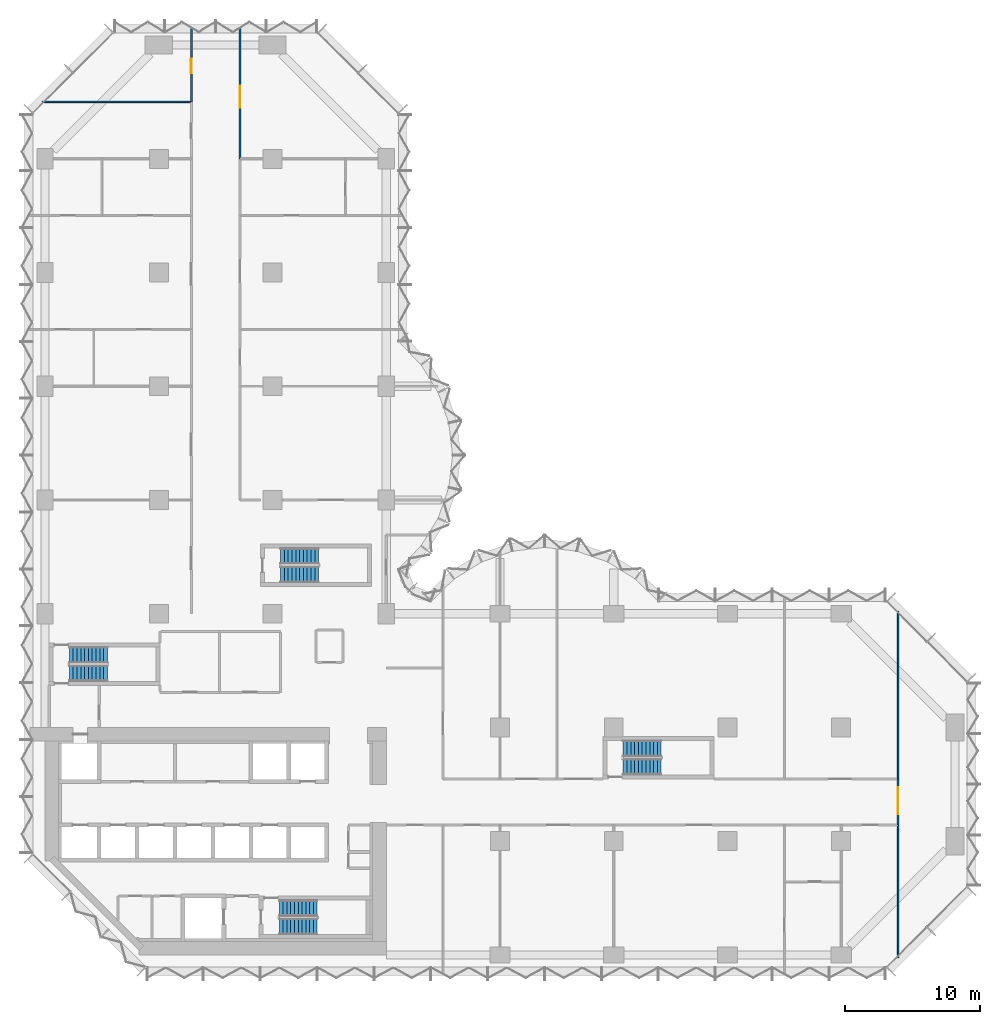
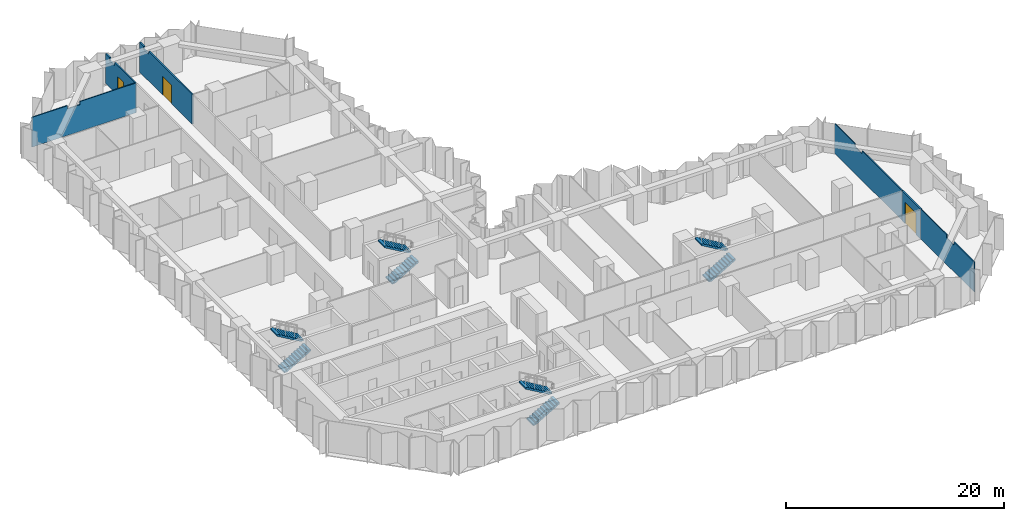
# One storey, part 12 of 15: 8 stair flights, 6 walls, 3 doors, 3 openings, 4 elements without a shape of their own.
"""IFC4 building model written with IfcOpenShell, lengths in metres."""

from ifc_helpers import new_model, si_unit, direction, frame, frame_2d, origin, place, context, subcontext, project, spatial, polyline, rectangle, outline, extrude, material, layer, layer_set, type_object, element, fill, aggregate, save


model = new_model("IFC4")

# Units and contexts
model_context = context("Model", 3, precision=1e-05, world=origin(), true_north=direction((0.0, 1.0)))
body_context = subcontext(model_context, "Body", "Model", "MODEL_VIEW")
ifc_project = project(units=[si_unit("LENGTHUNIT", "METRE"), si_unit("AREAUNIT", "SQUARE_METRE"), si_unit("VOLUMEUNIT", "CUBIC_METRE"), si_unit("PLANEANGLEUNIT", "RADIAN"), si_unit("MASSUNIT", "GRAM", prefix="KILO")], contexts=[model_context])

# Site, building, storey
site_placement = place(None, origin())
site = spatial("IfcSite", under=ifc_project, at=site_placement, CompositionType="ELEMENT")
building_placement = place(site_placement, origin())
building = spatial("IfcBuilding", under=site, at=building_placement, Name="Brevane Broadcast Tower", CompositionType="ELEMENT")
storey_placement = place(building_placement, frame((0.0, 0.0, 65.300048828125)))
storey = spatial("IfcBuildingStorey", under=building, at=storey_placement, Name="L14", CompositionType="ELEMENT", Elevation=65.300048828125)

# Walls
ifc_material_1 = material(Name="Gypsum board partition")
ifc_layer_1 = layer(ifc_material_1, 0.10009765625)
ifc_layer_set_1 = layer_set([ifc_layer_1], Name="PARTITION 100 STUD")
wall_type_1 = type_object("IfcWallType", Name="PARTITION 100 STUD", PredefinedType="PARTITIONING", material=ifc_layer_set_1)
wall_1_placement = place(storey_placement, frame((63.0, -0.199951171875, 0.0), z_axis=(0.0, 0.0, 1.0), x_axis=(0.0, 1.0, 0.0)))
element("IfcWall", 1, at=wall_1_placement, inside=storey, type_object=wall_type_1, Name="Partition G03-018", PredefinedType="PARTITIONING", context=body_context, shape_type="SweptSolid", body=[
    extrude(outline(polyline([(0.0, 0.0), (9.800048828125, 0.0), (9.800048828125, 3.329833984375), (5.065673828125, 3.329833984375), (5.063720703125, 2.97998046875), (3.736328125, 2.97998046875), (3.734375, 3.329833984375), (0.0, 3.329833984375), (0.0, 0.0)])), frame((0.0, 0.050048828125, 0.0), z_axis=(0.0, -1.0, 0.0), x_axis=(1.0, 0.0, 0.0)), (0.0, 0.0, 1.0), 0.10009765625),
])
wall_2_placement = place(storey_placement, frame((63.0, 13.0, 0.0), z_axis=(0.0, 0.0, 1.0), x_axis=(0.0, 1.0, 0.0)))
element("IfcWall", 2, at=wall_2_placement, inside=storey, type_object=wall_type_1, Name="Partition G03-019", PredefinedType="PARTITIONING", context=body_context, shape_type="SweptSolid", body=[
    extrude(outline(polyline([(0.0, 0.0), (12.39990234375, 0.0), (12.39990234375, 3.329833984375), (8.665771484375, 3.329833984375), (8.66357421875, 2.97998046875), (7.33642578125, 2.97998046875), (7.334228515625, 3.329833984375), (0.0, 3.329833984375), (0.0, 0.0)])), frame((0.0, 0.050048828125, 0.0), z_axis=(0.0, -1.0, 0.0), x_axis=(1.0, 0.0, 0.0)), (0.0, 0.0, 1.0), 0.10009765625),
])
wall_3_placement = place(storey_placement, frame((-0.199951171875, 63.0, 0.0), z_axis=(0.0, 0.0, 1.0), x_axis=(1.0, 0.0, 0.0)))
element("IfcWall", 3, at=wall_3_placement, inside=storey, type_object=wall_type_1, Name="Partition G03-065", PredefinedType="PARTITIONING", context=body_context, shape_type="SweptSolid", body=[
    extrude(outline(polyline([(0.0, 0.0), (11.0, 0.0), (11.0, 3.329833984375), (5.065673828125, 3.329833984375), (5.063720703125, 2.97998046875), (3.736328125, 2.97998046875), (3.734375, 3.329833984375), (0.0, 3.329833984375), (0.0, 0.0)])), frame((0.0, 0.050048828125, 0.0), z_axis=(0.0, -1.0, 0.0), x_axis=(1.0, 0.0, 0.0)), (0.0, 0.0, 1.0), 0.10009765625),
])

# Wall, opening, door
ifc_layer_2 = layer(ifc_material_1, 0.14990234375)
ifc_layer_set_2 = layer_set([ifc_layer_2], Name="PARTITION 150 EI 60")
wall_type_2 = type_object("IfcWallType", Name="PARTITION 150 EI 60", PredefinedType="PARTITIONING", material=ifc_layer_set_2)
wall_4_placement = place(storey_placement, frame((63.0, 13.0, 0.0), z_axis=(0.0, 0.0, 1.0), x_axis=(0.0, -1.0, 0.0)))
wall_4 = element("IfcWall", 4, at=wall_4_placement, inside=storey, type_object=wall_type_2, Name="Partition G03-007", PredefinedType="PARTITIONING", context=body_context, shape_type="SweptSolid", body=[
    extrude(rectangle(XDim=3.39990234375, YDim=0.14990234375, at=frame_2d((1.699951171875, 0.0))), origin(), (0.0, 0.0, 1.0), 3.329833984375),
])
opening_1_placement = place(wall_4_placement, frame((0.60009765625, 0.0, 0.0)))
opening_1 = element("IfcOpeningElement", 5, at=opening_1_placement, cuts=wall_4, Name="Opening D09-002", PredefinedType="OPENING", context=body_context, shape_type="SweptSolid", body=[
    extrude(rectangle(XDim=2.0, YDim=2.39990234375, at=frame_2d((1.0, 1.199951171875))), frame((0.0, 0.0849609375, 0.0), z_axis=(0.0, -1.0, 0.0), x_axis=(1.0, 0.0, 0.0)), (0.0, 0.0, 1.0), 0.169921875),
])
ifc_material_2 = material(Name="Fire-rated timber door leaf", Category="wood")
door_type_1 = type_object("IfcDoorType", Name="DOOR DOUBLE 2000 FD30S", OperationType="DOUBLE_DOOR_SINGLE_SWING", PredefinedType="DOOR", material=ifc_material_2)
door_1_placement = place(opening_1_placement, origin())
door_1 = element("IfcDoor", 6, at=door_1_placement, inside=storey, type_object=door_type_1, Name="Door D09-002", OperationType="DOUBLE_DOOR_SINGLE_SWING", OverallHeight=2.39990234375, OverallWidth=2.0, PredefinedType="DOOR", context=body_context, shape_type="SweptSolid", body=[
    extrude(rectangle(XDim=2.0, YDim=2.39990234375, at=frame_2d((1.0, 1.199951171875))), frame((0.0, 0.02490234375, 0.0), z_axis=(0.0, -1.0, 0.0), x_axis=(1.0, 0.0, 0.0)), (0.0, 0.0, 1.0), 0.050048828125),
])
fill(opening_1, door_1)

wall_5_placement = place(storey_placement, frame((10.800048828125, 63.0, 0.0), z_axis=(0.0, 0.0, 1.0), x_axis=(0.0, 1.0, 0.0)))
wall_5 = element("IfcWall", 7, at=wall_5_placement, inside=storey, type_object=wall_type_2, Name="Partition G03-045", PredefinedType="PARTITIONING", context=body_context, shape_type="SweptSolid", body=[
    extrude(outline(polyline([(0.0, 0.0), (5.42333984375, 0.0), (5.42333984375, 3.329833984375), (5.280029296875, 3.329833984375), (4.64990234375, 3.329833984375), (4.64794921875, 2.97998046875), (3.751953125, 2.97998046875), (3.75, 3.329833984375), (0.0, 3.329833984375), (0.0, 0.0)])), frame((0.0, 0.074951171875, 0.0), z_axis=(0.0, -1.0, 0.0), x_axis=(1.0, 0.0, 0.0)), (0.0, 0.0, 1.0), 0.14990234375),
])
opening_2_placement = place(wall_5_placement, frame((2.10009765625, 0.0, 0.0)))
opening_2 = element("IfcOpeningElement", 8, at=opening_2_placement, cuts=wall_5, Name="Opening D09-022", PredefinedType="OPENING", context=body_context, shape_type="SweptSolid", body=[
    extrude(rectangle(XDim=1.10009765625, YDim=2.10009765625, at=frame_2d((0.550048828125, 1.050048828125))), frame((0.0, 0.0849609375, 0.0), z_axis=(0.0, -1.0, 0.0), x_axis=(1.0, 0.0, 0.0)), (0.0, 0.0, 1.0), 0.169921875),
])
door_type_2 = type_object("IfcDoorType", Name="DOOR SINGLE 1100 FD30S", OperationType="SINGLE_SWING_LEFT", PredefinedType="DOOR", material=ifc_material_2)
door_2_placement = place(opening_2_placement, origin())
door_2 = element("IfcDoor", 9, at=door_2_placement, inside=storey, type_object=door_type_2, Name="Door D09-022", OperationType="SINGLE_SWING_LEFT", OverallHeight=2.10009765625, OverallWidth=1.10009765625, PredefinedType="DOOR", context=body_context, shape_type="SweptSolid", body=[
    extrude(rectangle(XDim=1.10009765625, YDim=2.10009765625, at=frame_2d((0.550048828125, 1.050048828125))), frame((0.0, 0.02490234375, 0.0), z_axis=(0.0, -1.0, 0.0), x_axis=(1.0, 0.0, 0.0)), (0.0, 0.0, 1.0), 0.050048828125),
])
fill(opening_2, door_2)

wall_6_placement = place(storey_placement, frame((14.39990234375, 68.42333984375, 0.0), z_axis=(0.0, 0.0, 1.0), x_axis=(0.0, -1.0, 0.0)))
wall_6 = element("IfcWall", 10, at=wall_6_placement, inside=storey, type_object=wall_type_2, Name="Partition G03-050", PredefinedType="PARTITIONING", context=body_context, shape_type="SweptSolid", body=[
    extrude(outline(polyline([(0.0, 0.0), (9.623291015625, 0.0), (9.623291015625, 3.329833984375), (1.67333984375, 3.329833984375), (1.67138671875, 2.97998046875), (0.775390625, 2.97998046875), (0.773193359375, 3.329833984375), (0.143310546875, 3.329833984375), (0.0, 3.329833984375), (0.0, 0.0)])), frame((0.0, 0.074951171875, 0.0), z_axis=(0.0, -1.0, 0.0), x_axis=(1.0, 0.0, 0.0)), (0.0, 0.0, 1.0), 0.14990234375),
])
opening_3_placement = place(wall_6_placement, frame((4.243408203125, 0.0, 0.0)))
opening_3 = element("IfcOpeningElement", 11, at=opening_3_placement, cuts=wall_6, Name="Opening D09-028", PredefinedType="OPENING", context=body_context, shape_type="SweptSolid", body=[
    extrude(rectangle(XDim=1.60009765625, YDim=2.10009765625, at=frame_2d((0.800048828125, 1.050048828125))), frame((0.0, 0.0849609375, 0.0), z_axis=(0.0, -1.0, 0.0), x_axis=(1.0, 0.0, 0.0)), (0.0, 0.0, 1.0), 0.169921875),
])
door_type_3 = type_object("IfcDoorType", Name="DOOR DOUBLE 1600 FD30S", OperationType="DOUBLE_DOOR_SINGLE_SWING", PredefinedType="DOOR", material=ifc_material_2)
door_3_placement = place(opening_3_placement, origin())
door_3 = element("IfcDoor", 12, at=door_3_placement, inside=storey, type_object=door_type_3, Name="Door D09-028", OperationType="DOUBLE_DOOR_SINGLE_SWING", OverallHeight=2.10009765625, OverallWidth=1.60009765625, PredefinedType="DOOR", context=body_context, shape_type="SweptSolid", body=[
    extrude(rectangle(XDim=1.60009765625, YDim=2.10009765625, at=frame_2d((0.800048828125, 1.050048828125))), frame((0.0, 0.02490234375, 0.0), z_axis=(0.0, -1.0, 0.0), x_axis=(1.0, 0.0, 0.0)), (0.0, 0.0, 1.0), 0.050048828125),
])
fill(opening_3, door_3)

# Stair, stair flights
ifc_material_3 = material(Name="Concrete C50/60", Category="concrete")
stair_type = type_object("IfcStairType", Name="Exit stair 22 risers", PredefinedType="HALF_TURN_STAIR", material=ifc_material_3)
stair_1_placement = place(storey_placement, origin())
stair_1 = element("IfcStair", 13, at=stair_1_placement, inside=storey, type_object=stair_type, Name="L14 Exit stair ST-1", PredefinedType="HALF_TURN_STAIR")
stair_flight_type = type_object("IfcStairFlightType", Name="Exit stair flight 22 risers", PredefinedType="STRAIGHT", material=ifc_material_3)
stair_flight_1_placement = place(storey_placement, frame((1.800048828125, 20.800048828125, 0.0), z_axis=(0.0, 0.0, 1.0), x_axis=(1.0, 0.0, 0.0)))
stair_flight_1 = element("IfcStairFlight", 14, at=stair_flight_1_placement, type_object=stair_flight_type, Name="ST-1 flight 1", NumberOfRisers=11, NumberOfTreads=10, PredefinedType="STRAIGHT", RiserHeight=0.163636364, TreadLength=0.28, context=body_context, shape_type="SweptSolid", body=[
    extrude(outline(polyline([(0.0, 0.0), (0.0, 0.16357421875), (0.280029296875, 0.16357421875), (0.280029296875, 0.327392578125), (0.56005859375, 0.327392578125), (0.56005859375, 0.490966796875), (0.840087890625, 0.490966796875), (0.840087890625, 0.654541015625), (1.1201171875, 0.654541015625), (1.1201171875, 0.818115234375), (1.39990234375, 0.818115234375), (1.39990234375, 0.98193359375), (1.679931640625, 0.98193359375), (1.679931640625, 1.1455078125), (1.9599609375, 1.1455078125), (1.9599609375, 1.30908203125), (2.239990234375, 1.30908203125), (2.239990234375, 1.47265625), (2.52001953125, 1.47265625), (2.52001953125, 1.636474609375), (2.800048828125, 1.636474609375), (2.800048828125, 1.800048828125), (2.800048828125, 1.462646484375), (0.297119140625, 0.0), (0.0, 0.0)])), frame((0.0, 0.60009765625, 0.0), z_axis=(0.0, -1.0, 0.0), x_axis=(1.0, 0.0, 0.0)), (0.0, 0.0, 1.0), 1.199951171875),
])
stair_flight_2_placement = place(storey_placement, frame((4.60009765625, 22.14990234375, 1.800048828125), z_axis=(0.0, 0.0, 1.0), x_axis=(-1.0, 0.0, 0.0)))
stair_flight_2 = element("IfcStairFlight", 15, at=stair_flight_2_placement, type_object=stair_flight_type, Name="ST-1 flight 2", NumberOfRisers=11, NumberOfTreads=10, PredefinedType="STRAIGHT", RiserHeight=0.163636364, TreadLength=0.28, context=body_context, shape_type="SweptSolid", body=[
    extrude(outline(polyline([(0.0, 0.0), (0.0, 0.16357421875), (0.280029296875, 0.16357421875), (0.280029296875, 0.327392578125), (0.56005859375, 0.327392578125), (0.56005859375, 0.490966796875), (0.840087890625, 0.490966796875), (0.840087890625, 0.654541015625), (1.1201171875, 0.654541015625), (1.1201171875, 0.818115234375), (1.39990234375, 0.818115234375), (1.39990234375, 0.98193359375), (1.679931640625, 0.98193359375), (1.679931640625, 1.1455078125), (1.9599609375, 1.1455078125), (1.9599609375, 1.30908203125), (2.239990234375, 1.30908203125), (2.239990234375, 1.47265625), (2.52001953125, 1.47265625), (2.52001953125, 1.636474609375), (2.800048828125, 1.636474609375), (2.800048828125, 1.800048828125), (2.800048828125, 1.462646484375), (0.297119140625, 0.0), (0.0, 0.0)])), frame((0.0, 0.60009765625, 0.0), z_axis=(0.0, -1.0, 0.0), x_axis=(1.0, 0.0, 0.0)), (0.0, 0.0, 1.0), 1.199951171875),
])
aggregate(stair_1, [stair_flight_1, stair_flight_2])

stair_2_placement = place(storey_placement, origin())
stair_2 = element("IfcStair", 16, at=stair_2_placement, inside=storey, type_object=stair_type, Name="L14 Exit stair ST-2", PredefinedType="HALF_TURN_STAIR")
stair_flight_3_placement = place(storey_placement, frame((17.300048828125, 2.10009765625, 0.0), z_axis=(0.0, 0.0, 1.0), x_axis=(1.0, 0.0, 0.0)))
stair_flight_3 = element("IfcStairFlight", 17, at=stair_flight_3_placement, type_object=stair_flight_type, Name="ST-2 flight 1", NumberOfRisers=11, NumberOfTreads=10, PredefinedType="STRAIGHT", RiserHeight=0.163636364, TreadLength=0.28, context=body_context, shape_type="SweptSolid", body=[
    extrude(outline(polyline([(0.0, 0.0), (0.0, 0.16357421875), (0.280029296875, 0.16357421875), (0.280029296875, 0.327392578125), (0.56005859375, 0.327392578125), (0.56005859375, 0.490966796875), (0.840087890625, 0.490966796875), (0.840087890625, 0.654541015625), (1.1201171875, 0.654541015625), (1.1201171875, 0.818115234375), (1.39990234375, 0.818115234375), (1.39990234375, 0.98193359375), (1.679931640625, 0.98193359375), (1.679931640625, 1.1455078125), (1.9599609375, 1.1455078125), (1.9599609375, 1.30908203125), (2.239990234375, 1.30908203125), (2.239990234375, 1.47265625), (2.52001953125, 1.47265625), (2.52001953125, 1.636474609375), (2.800048828125, 1.636474609375), (2.800048828125, 1.800048828125), (2.800048828125, 1.462646484375), (0.297119140625, 0.0), (0.0, 0.0)])), frame((0.0, 0.60009765625, 0.0), z_axis=(0.0, -1.0, 0.0), x_axis=(1.0, 0.0, 0.0)), (0.0, 0.0, 1.0), 1.199951171875),
])
stair_flight_4_placement = place(storey_placement, frame((20.10009765625, 3.449951171875, 1.800048828125), z_axis=(0.0, 0.0, 1.0), x_axis=(-1.0, 0.0, 0.0)))
stair_flight_4 = element("IfcStairFlight", 18, at=stair_flight_4_placement, type_object=stair_flight_type, Name="ST-2 flight 2", NumberOfRisers=11, NumberOfTreads=10, PredefinedType="STRAIGHT", RiserHeight=0.163636364, TreadLength=0.28, context=body_context, shape_type="SweptSolid", body=[
    extrude(outline(polyline([(0.0, 0.0), (0.0, 0.16357421875), (0.280029296875, 0.16357421875), (0.280029296875, 0.327392578125), (0.56005859375, 0.327392578125), (0.56005859375, 0.490966796875), (0.840087890625, 0.490966796875), (0.840087890625, 0.654541015625), (1.1201171875, 0.654541015625), (1.1201171875, 0.818115234375), (1.39990234375, 0.818115234375), (1.39990234375, 0.98193359375), (1.679931640625, 0.98193359375), (1.679931640625, 1.1455078125), (1.9599609375, 1.1455078125), (1.9599609375, 1.30908203125), (2.239990234375, 1.30908203125), (2.239990234375, 1.47265625), (2.52001953125, 1.47265625), (2.52001953125, 1.636474609375), (2.800048828125, 1.636474609375), (2.800048828125, 1.800048828125), (2.800048828125, 1.462646484375), (0.297119140625, 0.0), (0.0, 0.0)])), frame((0.0, 0.60009765625, 0.0), z_axis=(0.0, -1.0, 0.0), x_axis=(1.0, 0.0, 0.0)), (0.0, 0.0, 1.0), 1.199951171875),
])
aggregate(stair_2, [stair_flight_3, stair_flight_4])

stair_3_placement = place(storey_placement, origin())
stair_3 = element("IfcStair", 19, at=stair_3_placement, inside=storey, type_object=stair_type, Name="L14 Exit stair ST-3", PredefinedType="HALF_TURN_STAIR")
stair_flight_5_placement = place(storey_placement, frame((17.39990234375, 28.10009765625, 0.0), z_axis=(0.0, 0.0, 1.0), x_axis=(1.0, 0.0, 0.0)))
stair_flight_5 = element("IfcStairFlight", 20, at=stair_flight_5_placement, type_object=stair_flight_type, Name="ST-3 flight 1", NumberOfRisers=11, NumberOfTreads=10, PredefinedType="STRAIGHT", RiserHeight=0.163636364, TreadLength=0.28, context=body_context, shape_type="SweptSolid", body=[
    extrude(outline(polyline([(0.0, 0.0), (0.0, 0.16357421875), (0.280029296875, 0.16357421875), (0.280029296875, 0.327392578125), (0.56005859375, 0.327392578125), (0.56005859375, 0.490966796875), (0.840087890625, 0.490966796875), (0.840087890625, 0.654541015625), (1.1201171875, 0.654541015625), (1.1201171875, 0.818115234375), (1.39990234375, 0.818115234375), (1.39990234375, 0.98193359375), (1.679931640625, 0.98193359375), (1.679931640625, 1.1455078125), (1.9599609375, 1.1455078125), (1.9599609375, 1.30908203125), (2.239990234375, 1.30908203125), (2.239990234375, 1.47265625), (2.52001953125, 1.47265625), (2.52001953125, 1.636474609375), (2.800048828125, 1.636474609375), (2.800048828125, 1.800048828125), (2.800048828125, 1.462646484375), (0.297119140625, 0.0), (0.0, 0.0)])), frame((0.0, 0.60009765625, 0.0), z_axis=(0.0, -1.0, 0.0), x_axis=(1.0, 0.0, 0.0)), (0.0, 0.0, 1.0), 1.199951171875),
])
stair_flight_6_placement = place(storey_placement, frame((20.199951171875, 29.449951171875, 1.800048828125), z_axis=(0.0, 0.0, 1.0), x_axis=(-1.0, 0.0, 0.0)))
stair_flight_6 = element("IfcStairFlight", 21, at=stair_flight_6_placement, type_object=stair_flight_type, Name="ST-3 flight 2", NumberOfRisers=11, NumberOfTreads=10, PredefinedType="STRAIGHT", RiserHeight=0.163636364, TreadLength=0.28, context=body_context, shape_type="SweptSolid", body=[
    extrude(outline(polyline([(0.0, 0.0), (0.0, 0.16357421875), (0.280029296875, 0.16357421875), (0.280029296875, 0.327392578125), (0.56005859375, 0.327392578125), (0.56005859375, 0.490966796875), (0.840087890625, 0.490966796875), (0.840087890625, 0.654541015625), (1.1201171875, 0.654541015625), (1.1201171875, 0.818115234375), (1.39990234375, 0.818115234375), (1.39990234375, 0.98193359375), (1.679931640625, 0.98193359375), (1.679931640625, 1.1455078125), (1.9599609375, 1.1455078125), (1.9599609375, 1.30908203125), (2.239990234375, 1.30908203125), (2.239990234375, 1.47265625), (2.52001953125, 1.47265625), (2.52001953125, 1.636474609375), (2.800048828125, 1.636474609375), (2.800048828125, 1.800048828125), (2.800048828125, 1.462646484375), (0.297119140625, 0.0), (0.0, 0.0)])), frame((0.0, 0.60009765625, 0.0), z_axis=(0.0, -1.0, 0.0), x_axis=(1.0, 0.0, 0.0)), (0.0, 0.0, 1.0), 1.199951171875),
])
aggregate(stair_3, [stair_flight_5, stair_flight_6])

stair_4_placement = place(storey_placement, origin())
stair_4 = element("IfcStair", 22, at=stair_4_placement, inside=storey, type_object=stair_type, Name="L14 Exit stair ST-4", PredefinedType="HALF_TURN_STAIR")
stair_flight_7_placement = place(storey_placement, frame((42.699951171875, 13.89990234375, 0.0), z_axis=(0.0, 0.0, 1.0), x_axis=(1.0, 0.0, 0.0)))
stair_flight_7 = element("IfcStairFlight", 23, at=stair_flight_7_placement, type_object=stair_flight_type, Name="ST-4 flight 1", NumberOfRisers=11, NumberOfTreads=10, PredefinedType="STRAIGHT", RiserHeight=0.163636364, TreadLength=0.28, context=body_context, shape_type="SweptSolid", body=[
    extrude(outline(polyline([(0.0, 0.0), (0.0, 0.16357421875), (0.280029296875, 0.16357421875), (0.280029296875, 0.327392578125), (0.56005859375, 0.327392578125), (0.56005859375, 0.490966796875), (0.840087890625, 0.490966796875), (0.840087890625, 0.654541015625), (1.1201171875, 0.654541015625), (1.1201171875, 0.818115234375), (1.39990234375, 0.818115234375), (1.39990234375, 0.98193359375), (1.679931640625, 0.98193359375), (1.679931640625, 1.1455078125), (1.9599609375, 1.1455078125), (1.9599609375, 1.30908203125), (2.239990234375, 1.30908203125), (2.239990234375, 1.47265625), (2.52001953125, 1.47265625), (2.52001953125, 1.636474609375), (2.800048828125, 1.636474609375), (2.800048828125, 1.800048828125), (2.800048828125, 1.462646484375), (0.297119140625, 0.0), (0.0, 0.0)])), frame((0.0, 0.60009765625, 0.0), z_axis=(0.0, -1.0, 0.0), x_axis=(1.0, 0.0, 0.0)), (0.0, 0.0, 1.0), 1.199951171875),
])
stair_flight_8_placement = place(storey_placement, frame((45.5, 15.25, 1.800048828125), z_axis=(0.0, 0.0, 1.0), x_axis=(-1.0, 0.0, 0.0)))
stair_flight_8 = element("IfcStairFlight", 24, at=stair_flight_8_placement, type_object=stair_flight_type, Name="ST-4 flight 2", NumberOfRisers=11, NumberOfTreads=10, PredefinedType="STRAIGHT", RiserHeight=0.163636364, TreadLength=0.28, context=body_context, shape_type="SweptSolid", body=[
    extrude(outline(polyline([(0.0, 0.0), (0.0, 0.16357421875), (0.280029296875, 0.16357421875), (0.280029296875, 0.327392578125), (0.56005859375, 0.327392578125), (0.56005859375, 0.490966796875), (0.840087890625, 0.490966796875), (0.840087890625, 0.654541015625), (1.1201171875, 0.654541015625), (1.1201171875, 0.818115234375), (1.39990234375, 0.818115234375), (1.39990234375, 0.98193359375), (1.679931640625, 0.98193359375), (1.679931640625, 1.1455078125), (1.9599609375, 1.1455078125), (1.9599609375, 1.30908203125), (2.239990234375, 1.30908203125), (2.239990234375, 1.47265625), (2.52001953125, 1.47265625), (2.52001953125, 1.636474609375), (2.800048828125, 1.636474609375), (2.800048828125, 1.800048828125), (2.800048828125, 1.462646484375), (0.297119140625, 0.0), (0.0, 0.0)])), frame((0.0, 0.60009765625, 0.0), z_axis=(0.0, -1.0, 0.0), x_axis=(1.0, 0.0, 0.0)), (0.0, 0.0, 1.0), 1.199951171875),
])
aggregate(stair_4, [stair_flight_7, stair_flight_8])

save(model, "model.ifc")
